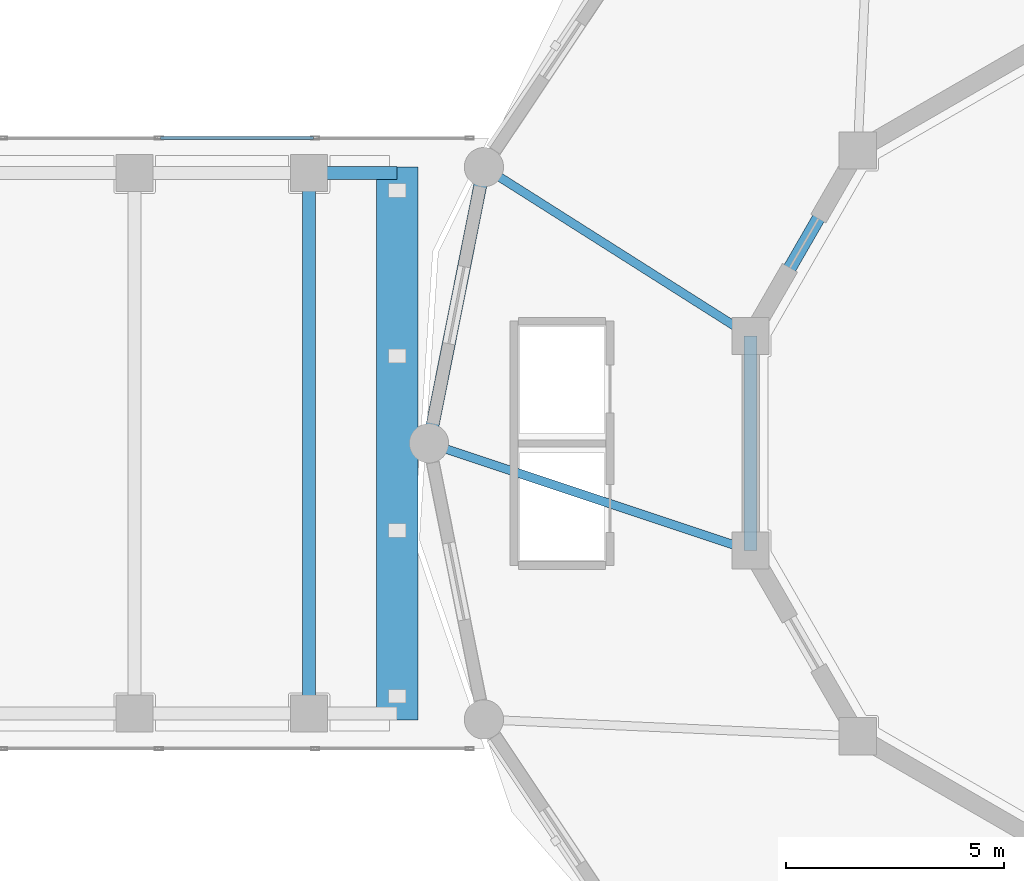
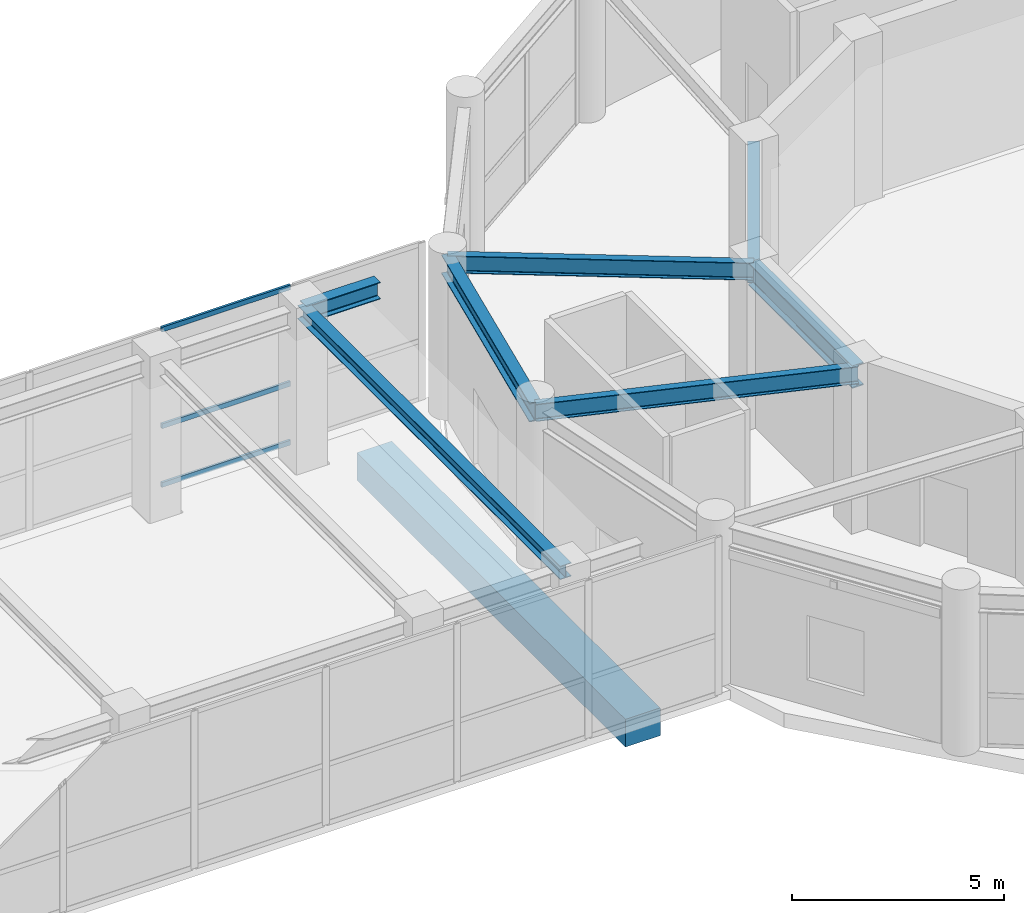
# One storey, part 26 of 48: 8 beams, 3 members, 1 element without a shape of its own.
"""IFC4 building model written with IfcOpenShell, lengths in metres."""

from ifc_helpers import new_model, si_unit, derived_unit, direction, frame, origin, origin_2d, place, context, subcontext, project, spatial, rectangle, hollow_rectangle, i_section, extrude, source, transform, mapped, material, layer, layer_set, material_profile, profile_set, type_object, element, aggregate, save


model = new_model("IFC4")

# Units and contexts
model_context = context("Model", 3, precision=1e-05, world=origin(), true_north=direction((0.0, 1.0)))
body_context = subcontext(model_context, "Body", "Model", "MODEL_VIEW")
ifc_project = project(units=[si_unit("LENGTHUNIT", "METRE"), si_unit("AREAUNIT", "SQUARE_METRE"), si_unit("VOLUMEUNIT", "CUBIC_METRE"), si_unit("PLANEANGLEUNIT", "RADIAN"), si_unit("MASSUNIT", "GRAM", prefix="KILO"), derived_unit("THERMALTRANSMITTANCEUNIT", [(si_unit("POWERUNIT", "WATT"), 1), (si_unit("LENGTHUNIT", "METRE"), -2), (si_unit("THERMODYNAMICTEMPERATUREUNIT", "KELVIN"), -1)])], contexts=[model_context])

# Site, building, storey
site_placement = place(None, origin())
site = spatial("IfcSite", under=ifc_project, at=site_placement, CompositionType="ELEMENT")
building_placement = place(site_placement, origin())
building = spatial("IfcBuilding", under=site, at=building_placement, Name="Korsvarv Bourse and Concert Hall", CompositionType="ELEMENT")
storey_placement = place(building_placement, frame((0.0, 0.0, 4.800048828125)))
storey = spatial("IfcBuildingStorey", under=building, at=storey_placement, Name="L01", CompositionType="ELEMENT", Elevation=4.800048828125)

# Beams
ifc_material_1 = material(Name="Concrete C50/60", Category="concrete")
ifc_material_profile_1 = material_profile(ifc_material_1, rectangle(XDim=0.949951171875, YDim=0.800048828125, at=origin_2d()), Name="RC-CRB 950x800")
ifc_profile_set_1 = profile_set([ifc_material_profile_1], Name="Concrete C50/60")
beam_type_1 = type_object("IfcBeamType", Name="BM-CRB-950", PredefinedType="BEAM", material=ifc_profile_set_1)
shared_shape_1 = source(origin(), body_context, "Body", "SweptSolid", [
    extrude(rectangle(XDim=0.949951171875, YDim=0.800048828125, at=origin_2d()), origin(), (0.0, 0.0, 1.0), 12.68017578125),
])
beam_1_placement = place(storey_placement, frame((89.52001953125, 29.659912109375, -0.780029296875), z_axis=(0.0, 1.0, 0.0), x_axis=(-1.0, 0.0, 0.0)))
element("IfcBeam", 1, at=beam_1_placement, inside=storey, type_object=beam_type_1, Name="L01 Concert Hall 950 mm Bridge Corbel Seat Beam B-CRB1", PredefinedType="BEAM", context=body_context, shape_type="MappedRepresentation", body=[
    mapped(shared_shape_1, transform((0.0, 0.0, 0.0), scale=1.0)),
])
ifc_material_2 = material(Name="Steel S355", Category="steel")
ifc_material_profile_2 = material_profile(ifc_material_2, i_section(OverallWidth=0.300048828125, OverallDepth=0.489990234375, WebThickness=0.011962890625, FlangeThickness=0.02294921875, FilletRadius=0.02392578125, at=origin_2d()), Name="HEA 500")
ifc_profile_set_2 = profile_set([ifc_material_profile_2], Name="Steel S355")
beam_type_2 = type_object("IfcBeamType", Name="BM-HEA500", PredefinedType="BEAM", material=ifc_profile_set_2)
shared_shape_2 = source(origin(), body_context, "Body", "SweptSolid", [
    extrude(i_section(OverallWidth=0.300048828125, OverallDepth=0.489990234375, WebThickness=0.011962890625, FlangeThickness=0.02294921875, FilletRadius=0.02392578125, at=origin_2d()), origin(), (0.0, 0.0, 1.0), 2.02001953125),
])
beam_2_placement = place(storey_placement, frame((87.5, 42.199951171875, 4.294921875), z_axis=(1.0, 0.0, 0.0), x_axis=(0.0, 1.0, 0.0)))
element("IfcBeam", 2, at=beam_2_placement, inside=storey, type_object=beam_type_2, Name="L01 beam B-10", PredefinedType="BEAM", context=body_context, shape_type="MappedRepresentation", body=[
    mapped(shared_shape_2, transform((0.0, 0.0, 0.0), scale=1.0)),
])
ifc_material_profile_3 = material_profile(ifc_material_2, i_section(OverallWidth=0.300048828125, OverallDepth=0.389892578125, WebThickness=0.010986328125, FlangeThickness=0.01904296875, FilletRadius=0.02099609375, at=origin_2d()), Name="HEA 400")
ifc_profile_set_3 = profile_set([ifc_material_profile_3], Name="Steel S355")
beam_type_3 = type_object("IfcBeamType", Name="BM-HEA400", PredefinedType="BEAM", material=ifc_profile_set_3)
shared_shape_3 = source(origin(), body_context, "Body", "SweptSolid", [
    extrude(i_section(OverallWidth=0.300048828125, OverallDepth=0.389892578125, WebThickness=0.010986328125, FlangeThickness=0.01904296875, FilletRadius=0.02099609375, at=origin_2d()), origin(), (0.0, 0.0, 1.0), 12.39990234375),
])
beam_3_placement = place(storey_placement, frame((87.5, 29.800048828125, 4.344970703125), z_axis=(0.0, 1.0, 0.0), x_axis=(-1.0, 0.0, 0.0)))
element("IfcBeam", 3, at=beam_3_placement, inside=storey, type_object=beam_type_3, Name="L01 beam B-11", PredefinedType="BEAM", context=body_context, shape_type="MappedRepresentation", body=[
    mapped(shared_shape_3, transform((0.0, 0.0, 0.0), scale=1.0)),
])
ifc_material_profile_4 = material_profile(ifc_material_2, i_section(OverallWidth=0.300048828125, OverallDepth=0.550048828125, WebThickness=0.014892578125, FlangeThickness=0.029052734375, FilletRadius=0.02392578125, at=origin_2d()), Name="HEB 550")
ifc_profile_set_4 = profile_set([ifc_material_profile_4], Name="Steel S355")
beam_type_4 = type_object("IfcBeamType", Name="BM-HEB550", PredefinedType="BEAM", material=ifc_profile_set_4)
shared_shape_4 = source(origin(), body_context, "Body", "SweptSolid", [
    extrude(i_section(OverallWidth=0.300048828125, OverallDepth=0.550048828125, WebThickness=0.014892578125, FlangeThickness=0.029052734375, FilletRadius=0.02392578125, at=origin_2d()), origin(), (0.0, 0.0, 1.0), 6.45751953125),
])
beam_4_placement = place(storey_placement, frame((91.509765625, 42.33349609375, 4.224853515625), z_axis=(-0.195083607229, -0.980786616034, 0.0), x_axis=(0.980786616034, -0.195083607229, 0.0)))
element("IfcBeam", 4, at=beam_4_placement, inside=storey, type_object=beam_type_4, Name="L01 beam B-06", PredefinedType="BEAM", context=body_context, shape_type="MappedRepresentation", body=[
    mapped(shared_shape_4, transform((0.0, 0.0, 0.0), scale=1.0)),
])
ifc_material_profile_5 = material_profile(ifc_material_2, i_section(OverallWidth=0.300048828125, OverallDepth=0.64990234375, WebThickness=0.01611328125, FlangeThickness=0.031005859375, FilletRadius=0.027099609375, at=origin_2d()), Name="HEB 650")
ifc_profile_set_5 = profile_set([ifc_material_profile_5], Name="Steel S355")
beam_type_5 = type_object("IfcBeamType", Name="BM-HEB650", PredefinedType="BEAM", material=ifc_profile_set_5)
shared_shape_5 = source(origin(), body_context, "Body", "SweptSolid", [
    extrude(i_section(OverallWidth=0.300048828125, OverallDepth=0.64990234375, WebThickness=0.01611328125, FlangeThickness=0.031005859375, FilletRadius=0.027099609375, at=origin_2d()), origin(), (0.0, 0.0, 1.0), 4.91748046875),
])
for number, where, z_axis, x_axis, name in (
    (5, (100.08251953125, 42.717529296875, 4.175048828125), (-0.499988900423, -0.866031812033, 0.0), (0.866031812033, -0.499988900423, 0.0), "L01 beam B-04"),
    (6, (97.623779296875, 38.458740234375, 4.175048828125), (0.0, -1.0, 0.0), (1.0, 0.0, 0.0), "L01 beam B-04"),
):
    element("IfcBeam", number, at=place(storey_placement, frame(where, z_axis=z_axis, x_axis=x_axis)), inside=storey, type_object=beam_type_5, Name=name, PredefinedType="BEAM", context=body_context, shape_type="MappedRepresentation", body=[
        mapped(shared_shape_5, transform((0.0, 0.0, 0.0), scale=1.0)),
    ])
ifc_material_profile_6 = material_profile(ifc_material_2, i_section(OverallWidth=0.199951171875, OverallDepth=0.5, WebThickness=0.01025390625, FlangeThickness=0.01611328125, FilletRadius=0.02099609375, at=origin_2d()), Name="IPE 500")
ifc_profile_set_6 = profile_set([ifc_material_profile_6], Name="Steel S355")
beam_type_6 = type_object("IfcBeamType", Name="BM-IPE500", PredefinedType="JOIST", material=ifc_profile_set_6)
shared_shape_6 = source(origin(), body_context, "Body", "SweptSolid", [
    extrude(i_section(OverallWidth=0.199951171875, OverallDepth=0.5, WebThickness=0.01025390625, FlangeThickness=0.01611328125, FilletRadius=0.02099609375, at=origin_2d()), origin(), (0.0, 0.0, 1.0), 7.77294921875),
])
beam_5_placement = place(storey_placement, frame((97.623779296875, 33.541259765625, 4.25), z_axis=(-0.948651884177, 0.316321992039, 0.0), x_axis=(-0.316321992039, -0.948651884177, 0.0)))
element("IfcBeam", 7, at=beam_5_placement, inside=storey, type_object=beam_type_6, Name="L01 beam J-03", PredefinedType="JOIST", context=body_context, shape_type="MappedRepresentation", body=[
    mapped(shared_shape_6, transform((0.0, 0.0, 0.0), scale=1.0)),
])
shared_shape_7 = source(origin(), body_context, "Body", "SweptSolid", [
    extrude(i_section(OverallWidth=0.199951171875, OverallDepth=0.5, WebThickness=0.01025390625, FlangeThickness=0.01611328125, FilletRadius=0.02099609375, at=origin_2d()), origin(), (0.0, 0.0, 1.0), 7.238525390625),
])
beam_6_placement = place(storey_placement, frame((97.623779296875, 38.458740234375, 4.25), z_axis=(-0.844659971835, 0.53530321499, 0.0), x_axis=(-0.53530321499, -0.844659971835, 0.0)))
element("IfcBeam", 8, at=beam_6_placement, inside=storey, type_object=beam_type_6, Name="L01 beam J-03", PredefinedType="JOIST", context=body_context, shape_type="MappedRepresentation", body=[
    mapped(shared_shape_7, transform((0.0, 0.0, 0.0), scale=1.0)),
])

# Curtain wall, members
ifc_material_3 = material(Name="Anodised aluminium and triple low-E glazing", Category="glass")
ifc_layer = layer(ifc_material_3, 0.239990234375)
ifc_layer_set = layer_set([ifc_layer], Name="Anodised aluminium and triple low-E glazing")
curtain_wall_type = type_object("IfcCurtainWallType", Name="CW-SYS-5", PredefinedType="NOTDEFINED", material=ifc_layer_set)
curtain_wall_placement = place(storey_placement, origin())
curtain_wall = element("IfcCurtainWall", 9, at=curtain_wall_placement, inside=storey, type_object=curtain_wall_type, Name="L01 CW5 curtain wall CW-L01-LKN", PredefinedType="NOTDEFINED")
ifc_material_4 = material(Name="Extruded aluminium EN AW-6063 T66", Category="aluminium")
ifc_material_profile_7 = material_profile(ifc_material_4, hollow_rectangle(XDim=0.06494140625, YDim=0.139892578125, WallThickness=0.00390625, at=origin_2d()), Name="ALU-T 65x140")
ifc_profile_set_7 = profile_set([ifc_material_profile_7], Name="Extruded aluminium EN AW-6063 T66")
member_type = type_object("IfcMemberType", Name="CWT-140", PredefinedType="USERDEFINED", material=ifc_profile_set_7)
shared_shape_8 = source(origin(), body_context, "Body", "SweptSolid", [
    extrude(hollow_rectangle(XDim=0.06494140625, YDim=0.139892578125, WallThickness=0.00390625, at=origin_2d()), origin(), (0.0, 0.0, 1.0), 3.510009765625),
])
member_1_placement = place(storey_placement, frame((84.094970703125, 43.0, 0.032470703125), z_axis=(1.0, 0.0, 0.0), x_axis=(0.0, 1.0, 0.0)))
member_1 = element("IfcMember", 10, at=member_1_placement, type_object=member_type, Name="CW5 transom 6.1", ObjectType="TRANSOM", PredefinedType="USERDEFINED", context=body_context, shape_type="MappedRepresentation", body=[
    mapped(shared_shape_8, transform((0.0, 0.0, 0.0), scale=1.0)),
])
member_2_placement = place(storey_placement, frame((84.094970703125, 43.0, 1.72509765625), z_axis=(1.0, 0.0, 0.0), x_axis=(0.0, 1.0, 0.0)))
member_2 = element("IfcMember", 11, at=member_2_placement, type_object=member_type, Name="CW5 transom 6.2", ObjectType="TRANSOM", PredefinedType="USERDEFINED", context=body_context, shape_type="MappedRepresentation", body=[
    mapped(shared_shape_8, transform((0.0, 0.0, 0.0), scale=1.0)),
])
member_3_placement = place(storey_placement, frame((84.094970703125, 43.0, 4.507568359375), z_axis=(1.0, 0.0, 0.0), x_axis=(0.0, 1.0, 0.0)))
member_3 = element("IfcMember", 12, at=member_3_placement, type_object=member_type, Name="CW5 transom 6.3", ObjectType="TRANSOM", PredefinedType="USERDEFINED", context=body_context, shape_type="MappedRepresentation", body=[
    mapped(shared_shape_8, transform((0.0, 0.0, 0.0), scale=1.0)),
])
aggregate(curtain_wall, [member_1, member_2, member_3])

save(model, "model.ifc")
